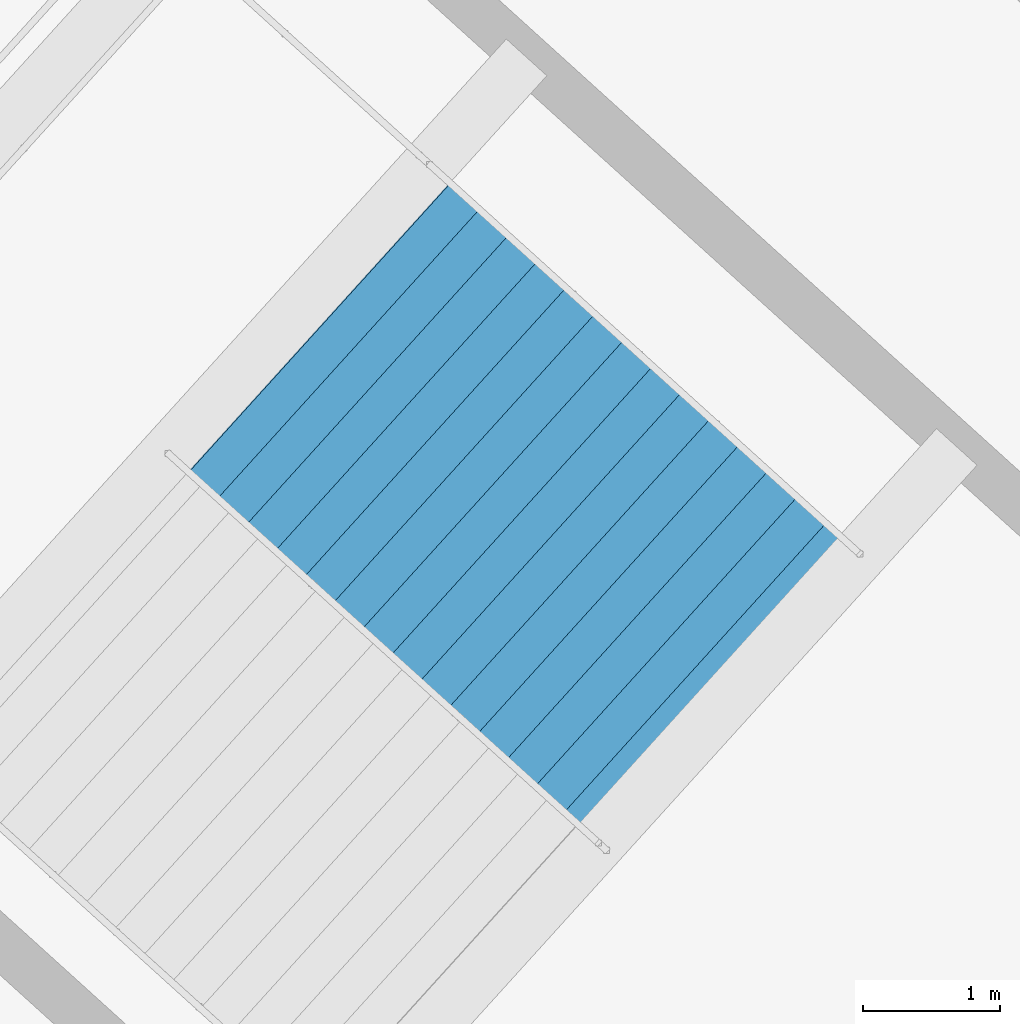
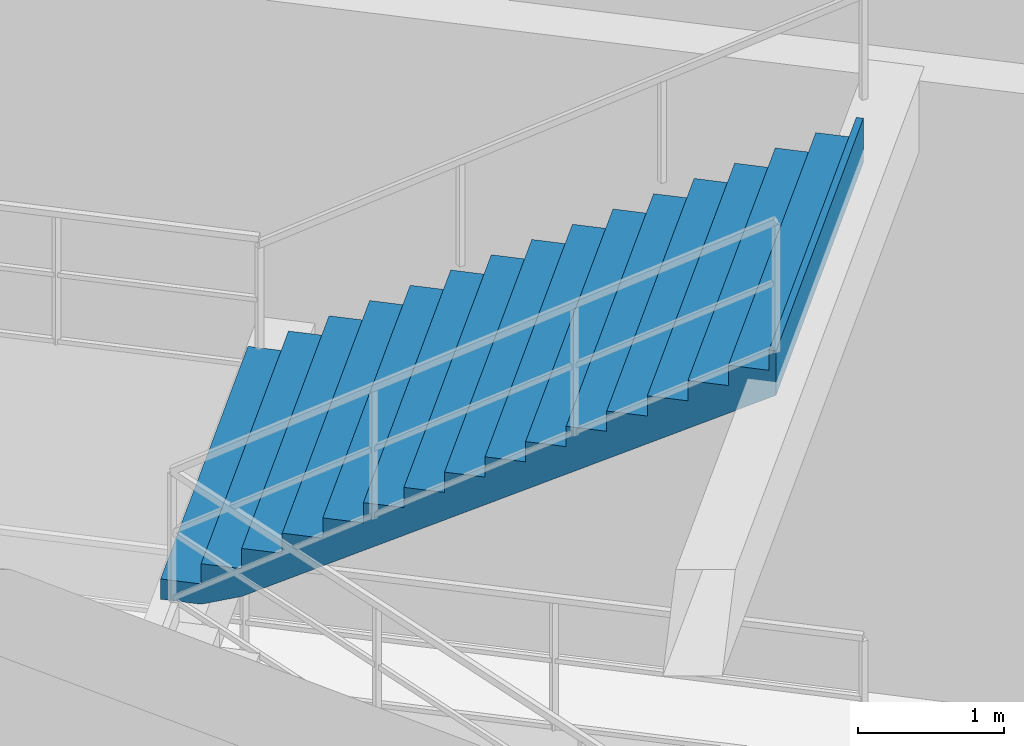
# One storey, part 166 of 186: 1 stair flight, 1 element without a shape of its own.
"""IFC4 building model written with IfcOpenShell, lengths in metres."""

from ifc_helpers import new_model, si_unit, direction, frame, origin, place, context, subcontext, project, spatial, polygons, material, type_object, element, aggregate, save


model = new_model("IFC4")

# Units and contexts
model_context = context("Model", 3, precision=1e-05, world=origin(), true_north=direction((0.0, 1.0)))
body_context = subcontext(model_context, "Body", "Model", "MODEL_VIEW")
ifc_project = project(units=[si_unit("LENGTHUNIT", "METRE"), si_unit("AREAUNIT", "SQUARE_METRE"), si_unit("VOLUMEUNIT", "CUBIC_METRE"), si_unit("PLANEANGLEUNIT", "RADIAN"), si_unit("MASSUNIT", "GRAM", prefix="KILO")], contexts=[model_context])

# Site, building, storey
site_placement = place(None, origin())
site = spatial("IfcSite", under=ifc_project, at=site_placement, CompositionType="ELEMENT")
building_placement = place(site_placement, origin())
building = spatial("IfcBuilding", under=site, at=building_placement, Name="Kazemori Nagisa Stadium", CompositionType="ELEMENT")
storey_placement = place(building_placement, frame((0.0, 0.0, 20.39990234375)))
storey = spatial("IfcBuildingStorey", under=building, at=storey_placement, Name="L04", CompositionType="ELEMENT", Elevation=20.39990234375)

# Stair, stair flight
ifc_material = material(Name="Concrete C36/45 (Fc36)", Category="concrete")
stair_type = type_object("IfcStairType", Name="Stair_CORE_32", PredefinedType="TWO_STRAIGHT_RUN_STAIR", material=ifc_material)
stair_placement = place(storey_placement, origin())
stair = element("IfcStair", 1, at=stair_placement, inside=storey, type_object=stair_type, Name="Exit stair ST01 L04", PredefinedType="TWO_STRAIGHT_RUN_STAIR")
stair_flight_type = type_object("IfcStairFlightType", Name="Flight_CORE_16", PredefinedType="STRAIGHT", material=ifc_material)
stair_flight_placement = place(storey_placement, frame((190.5390625, 161.406005859375, 2.72021484375), z_axis=(0.0, 0.0, 1.0), x_axis=(0.741357156534, -0.671110696127, 0.0)))
stair_flight = element("IfcStairFlight", 2, at=stair_flight_placement, type_object=stair_flight_type, Name="Exit stair ST01 L04 flight 2", NumberOfRisers=16, NumberOfTreads=15, PredefinedType="STRAIGHT", RiserHeight=0.17, TreadLength=0.285, context=body_context, shape_type="Tessellation", body=[
    polygons([(0.0, -1.425048828125, 0.0), (0.0, -1.425048828125, 0.169921875), (0.284912109375, -1.425048828125, 0.169921875), (0.284912109375, -1.425048828125, 0.340087890625), (0.570068359375, -1.425048828125, 0.340087890625), (0.570068359375, -1.425048828125, 0.510009765625), (0.85498046875, -1.425048828125, 0.510009765625), (0.85498046875, -1.425048828125, 0.679931640625), (1.139892578125, -1.425048828125, 0.679931640625), (1.139892578125, -1.425048828125, 0.85009765625), (1.425048828125, -1.425048828125, 0.85009765625), (1.425048828125, -1.425048828125, 1.02001953125), (1.7099609375, -1.425048828125, 1.02001953125), (1.7099609375, -1.425048828125, 1.18994140625), (1.9951171875, -1.425048828125, 1.18994140625), (1.9951171875, -1.425048828125, 1.360107421875), (2.280029296875, -1.425048828125, 1.360107421875), (2.280029296875, -1.425048828125, 1.530029296875), (2.56494140625, -1.425048828125, 1.530029296875), (2.56494140625, -1.425048828125, 1.699951171875), (2.85009765625, -1.425048828125, 1.699951171875), (2.85009765625, -1.425048828125, 1.8701171875), (3.135009765625, -1.425048828125, 1.8701171875), (3.135009765625, -1.425048828125, 2.0400390625), (3.419921875, -1.425048828125, 2.0400390625), (3.419921875, -1.425048828125, 2.2099609375), (3.705078125, -1.425048828125, 2.2099609375), (3.705078125, -1.425048828125, 2.3798828125), (3.989990234375, -1.425048828125, 2.3798828125), (3.989990234375, -1.425048828125, 2.550048828125), (4.27490234375, -1.425048828125, 2.550048828125), (4.27490234375, -1.425048828125, 2.719970703125), (4.324951171875, -1.425048828125, 2.719970703125), (4.324951171875, -1.425048828125, 2.346923828125), (4.27490234375, -1.425048828125, 2.317138671875), (3.989990234375, -1.425048828125, 2.147216796875), (3.705078125, -1.425048828125, 1.977294921875), (3.419921875, -1.425048828125, 1.80712890625), (3.135009765625, -1.425048828125, 1.63720703125), (2.85009765625, -1.425048828125, 1.46728515625), (2.56494140625, -1.425048828125, 1.297119140625), (2.280029296875, -1.425048828125, 1.127197265625), (1.9951171875, -1.425048828125, 0.957275390625), (1.7099609375, -1.425048828125, 0.787109375), (1.425048828125, -1.425048828125, 0.6171875), (1.139892578125, -1.425048828125, 0.447265625), (0.85498046875, -1.425048828125, 0.277099609375), (0.570068359375, -1.425048828125, 0.107177734375), (0.284912109375, -1.425048828125, 0.0), (0.0, -0.08544921875, 0.0), (0.0, -0.08544921875, 0.169921875), (0.284912109375, -0.08544921875, 0.169921875), (0.284912109375, -0.08544921875, 0.340087890625), (0.570068359375, -0.08544921875, 0.340087890625), (0.570068359375, -0.08544921875, 0.510009765625), (0.85498046875, -0.08544921875, 0.510009765625), (0.85498046875, -0.08544921875, 0.679931640625), (1.139892578125, -0.08544921875, 0.679931640625), (1.139892578125, -0.08544921875, 0.85009765625), (1.425048828125, -0.08544921875, 0.85009765625), (1.425048828125, -0.08544921875, 1.02001953125), (1.7099609375, -0.08544921875, 1.02001953125), (1.7099609375, -0.08544921875, 1.18994140625), (1.9951171875, -0.08544921875, 1.18994140625), (1.9951171875, -0.08544921875, 1.360107421875), (2.280029296875, -0.08544921875, 1.360107421875), (2.280029296875, -0.08544921875, 1.530029296875), (2.56494140625, -0.08544921875, 1.530029296875), (2.56494140625, -0.08544921875, 1.699951171875), (2.85009765625, -0.08544921875, 1.699951171875), (2.85009765625, -0.08544921875, 1.8701171875), (3.135009765625, -0.08544921875, 1.8701171875), (3.135009765625, -0.08544921875, 2.0400390625), (3.419921875, -0.08544921875, 2.0400390625), (3.419921875, -0.08544921875, 2.2099609375), (3.705078125, -0.08544921875, 2.2099609375), (3.705078125, -0.08544921875, 2.3798828125), (3.989990234375, -0.08544921875, 2.3798828125), (3.989990234375, -0.08544921875, 2.550048828125), (4.27490234375, -0.08544921875, 2.550048828125), (4.27490234375, -0.08544921875, 2.719970703125), (4.324951171875, -0.08544921875, 2.719970703125), (4.324951171875, -0.08544921875, 2.346923828125), (4.27490234375, -0.08544921875, 2.317138671875), (3.989990234375, -0.08544921875, 2.147216796875), (3.705078125, -0.08544921875, 1.977294921875), (3.419921875, -0.08544921875, 1.80712890625), (3.135009765625, -0.08544921875, 1.63720703125), (2.85009765625, -0.08544921875, 1.46728515625), (2.56494140625, -0.08544921875, 1.297119140625), (2.280029296875, -0.08544921875, 1.127197265625), (1.9951171875, -0.08544921875, 0.957275390625), (1.7099609375, -0.08544921875, 0.787109375), (1.425048828125, -0.08544921875, 0.6171875), (1.139892578125, -0.08544921875, 0.447265625), (0.85498046875, -0.08544921875, 0.277099609375), (0.570068359375, -0.08544921875, 0.107177734375), (0.284912109375, -0.08544921875, 0.0), (0.0, 0.0, 0.0), (0.0, 0.0, 0.169921875), (0.284912109375, 0.0, 0.169921875), (0.284912109375, 0.0, 0.340087890625), (0.570068359375, 0.0, 0.340087890625), (0.570068359375, 0.0, 0.510009765625), (0.85498046875, 0.0, 0.510009765625), (0.85498046875, 0.0, 0.679931640625), (1.139892578125, 0.0, 0.679931640625), (1.139892578125, 0.0, 0.85009765625), (1.425048828125, 0.0, 0.85009765625), (1.425048828125, 0.0, 1.02001953125), (1.7099609375, 0.0, 1.02001953125), (1.7099609375, 0.0, 1.18994140625), (1.9951171875, 0.0, 1.18994140625), (1.9951171875, 0.0, 1.360107421875), (2.280029296875, 0.0, 1.360107421875), (2.280029296875, 0.0, 1.530029296875), (2.56494140625, 0.0, 1.530029296875), (2.56494140625, 0.0, 1.699951171875), (2.85009765625, 0.0, 1.699951171875), (2.85009765625, 0.0, 1.8701171875), (3.135009765625, 0.0, 1.8701171875), (3.135009765625, 0.0, 2.0400390625), (3.419921875, 0.0, 2.0400390625), (3.419921875, 0.0, 2.2099609375), (3.705078125, 0.0, 2.2099609375), (3.705078125, 0.0, 2.3798828125), (3.989990234375, 0.0, 2.3798828125), (3.989990234375, 0.0, 2.550048828125), (4.27490234375, 0.0, 2.550048828125), (4.27490234375, 0.0, 2.719970703125), (4.324951171875, 0.0, 2.719970703125), (4.324951171875, 0.0, 2.346923828125), (4.27490234375, 0.0, 2.317138671875), (3.989990234375, 0.0, 2.147216796875), (3.705078125, 0.0, 1.977294921875), (3.419921875, 0.0, 1.80712890625), (3.135009765625, 0.0, 1.63720703125), (2.85009765625, 0.0, 1.46728515625), (2.56494140625, 0.0, 1.297119140625), (2.280029296875, 0.0, 1.127197265625), (1.9951171875, 0.0, 0.957275390625), (1.7099609375, 0.0, 0.787109375), (1.425048828125, 0.0, 0.6171875), (1.139892578125, 0.0, 0.447265625), (0.85498046875, 0.0, 0.277099609375), (0.570068359375, 0.0, 0.107177734375), (0.284912109375, 0.0, 0.0), (0.0, 0.08544921875, 0.0), (0.0, 0.08544921875, 0.169921875), (0.284912109375, 0.08544921875, 0.169921875), (0.284912109375, 0.08544921875, 0.340087890625), (0.570068359375, 0.08544921875, 0.340087890625), (0.570068359375, 0.08544921875, 0.510009765625), (0.85498046875, 0.08544921875, 0.510009765625), (0.85498046875, 0.08544921875, 0.679931640625), (1.139892578125, 0.08544921875, 0.679931640625), (1.139892578125, 0.08544921875, 0.85009765625), (1.425048828125, 0.08544921875, 0.85009765625), (1.425048828125, 0.08544921875, 1.02001953125), (1.7099609375, 0.08544921875, 1.02001953125), (1.7099609375, 0.08544921875, 1.18994140625), (1.9951171875, 0.08544921875, 1.18994140625), (1.9951171875, 0.08544921875, 1.360107421875), (2.280029296875, 0.08544921875, 1.360107421875), (2.280029296875, 0.08544921875, 1.530029296875), (2.56494140625, 0.08544921875, 1.530029296875), (2.56494140625, 0.08544921875, 1.699951171875), (2.85009765625, 0.08544921875, 1.699951171875), (2.85009765625, 0.08544921875, 1.8701171875), (3.135009765625, 0.08544921875, 1.8701171875), (3.135009765625, 0.08544921875, 2.0400390625), (3.419921875, 0.08544921875, 2.0400390625), (3.419921875, 0.08544921875, 2.2099609375), (3.705078125, 0.08544921875, 2.2099609375), (3.705078125, 0.08544921875, 2.3798828125), (3.989990234375, 0.08544921875, 2.3798828125), (3.989990234375, 0.08544921875, 2.550048828125), (4.27490234375, 0.08544921875, 2.550048828125), (4.27490234375, 0.08544921875, 2.719970703125), (4.324951171875, 0.08544921875, 2.719970703125), (4.324951171875, 0.08544921875, 2.346923828125), (4.27490234375, 0.08544921875, 2.317138671875), (3.989990234375, 0.08544921875, 2.147216796875), (3.705078125, 0.08544921875, 1.977294921875), (3.419921875, 0.08544921875, 1.80712890625), (3.135009765625, 0.08544921875, 1.63720703125), (2.85009765625, 0.08544921875, 1.46728515625), (2.56494140625, 0.08544921875, 1.297119140625), (2.280029296875, 0.08544921875, 1.127197265625), (1.9951171875, 0.08544921875, 0.957275390625), (1.7099609375, 0.08544921875, 0.787109375), (1.425048828125, 0.08544921875, 0.6171875), (1.139892578125, 0.08544921875, 0.447265625), (0.85498046875, 0.08544921875, 0.277099609375), (0.570068359375, 0.08544921875, 0.107177734375), (0.284912109375, 0.08544921875, 0.0), (0.0, 1.425048828125, 0.0), (0.0, 1.425048828125, 0.169921875), (0.284912109375, 1.425048828125, 0.169921875), (0.284912109375, 1.425048828125, 0.340087890625), (0.570068359375, 1.425048828125, 0.340087890625), (0.570068359375, 1.425048828125, 0.510009765625), (0.85498046875, 1.425048828125, 0.510009765625), (0.85498046875, 1.425048828125, 0.679931640625), (1.139892578125, 1.425048828125, 0.679931640625), (1.139892578125, 1.425048828125, 0.85009765625), (1.425048828125, 1.425048828125, 0.85009765625), (1.425048828125, 1.425048828125, 1.02001953125), (1.7099609375, 1.425048828125, 1.02001953125), (1.7099609375, 1.425048828125, 1.18994140625), (1.9951171875, 1.425048828125, 1.18994140625), (1.9951171875, 1.425048828125, 1.360107421875), (2.280029296875, 1.425048828125, 1.360107421875), (2.280029296875, 1.425048828125, 1.530029296875), (2.56494140625, 1.425048828125, 1.530029296875), (2.56494140625, 1.425048828125, 1.699951171875), (2.85009765625, 1.425048828125, 1.699951171875), (2.85009765625, 1.425048828125, 1.8701171875), (3.135009765625, 1.425048828125, 1.8701171875), (3.135009765625, 1.425048828125, 2.0400390625), (3.419921875, 1.425048828125, 2.0400390625), (3.419921875, 1.425048828125, 2.2099609375), (3.705078125, 1.425048828125, 2.2099609375), (3.705078125, 1.425048828125, 2.3798828125), (3.989990234375, 1.425048828125, 2.3798828125), (3.989990234375, 1.425048828125, 2.550048828125), (4.27490234375, 1.425048828125, 2.550048828125), (4.27490234375, 1.425048828125, 2.719970703125), (4.324951171875, 1.425048828125, 2.719970703125), (4.324951171875, 1.425048828125, 2.346923828125), (4.27490234375, 1.425048828125, 2.317138671875), (3.989990234375, 1.425048828125, 2.147216796875), (3.705078125, 1.425048828125, 1.977294921875), (3.419921875, 1.425048828125, 1.80712890625), (3.135009765625, 1.425048828125, 1.63720703125), (2.85009765625, 1.425048828125, 1.46728515625), (2.56494140625, 1.425048828125, 1.297119140625), (2.280029296875, 1.425048828125, 1.127197265625), (1.9951171875, 1.425048828125, 0.957275390625), (1.7099609375, 1.425048828125, 0.787109375), (1.425048828125, 1.425048828125, 0.6171875), (1.139892578125, 1.425048828125, 0.447265625), (0.85498046875, 1.425048828125, 0.277099609375), (0.570068359375, 1.425048828125, 0.107177734375), (0.284912109375, 1.425048828125, 0.0)], [[[1, 2, 51]], [[1, 51, 50]], [[2, 3, 52]], [[2, 52, 51]], [[3, 4, 53]], [[3, 53, 52]], [[4, 5, 54]], [[4, 54, 53]], [[5, 6, 55]], [[5, 55, 54]], [[6, 7, 56]], [[6, 56, 55]], [[7, 8, 57]], [[7, 57, 56]], [[8, 9, 58]], [[8, 58, 57]], [[9, 10, 59]], [[9, 59, 58]], [[10, 11, 60]], [[10, 60, 59]], [[11, 12, 61]], [[11, 61, 60]], [[12, 13, 62]], [[12, 62, 61]], [[13, 14, 63]], [[13, 63, 62]], [[14, 15, 64]], [[14, 64, 63]], [[15, 16, 65]], [[15, 65, 64]], [[16, 17, 66]], [[16, 66, 65]], [[17, 18, 67]], [[17, 67, 66]], [[18, 19, 68]], [[18, 68, 67]], [[19, 20, 69]], [[19, 69, 68]], [[20, 21, 70]], [[20, 70, 69]], [[21, 22, 71]], [[21, 71, 70]], [[22, 23, 72]], [[22, 72, 71]], [[23, 24, 73]], [[23, 73, 72]], [[24, 25, 74]], [[24, 74, 73]], [[25, 26, 75]], [[25, 75, 74]], [[26, 27, 76]], [[26, 76, 75]], [[27, 28, 77]], [[27, 77, 76]], [[28, 29, 78]], [[28, 78, 77]], [[29, 30, 79]], [[29, 79, 78]], [[30, 31, 80]], [[30, 80, 79]], [[31, 32, 81]], [[31, 81, 80]], [[32, 33, 82]], [[32, 82, 81]], [[33, 34, 83]], [[33, 83, 82]], [[34, 35, 84]], [[34, 84, 83]], [[35, 36, 85]], [[35, 85, 84]], [[36, 37, 86]], [[36, 86, 85]], [[37, 38, 87]], [[37, 87, 86]], [[38, 39, 88]], [[38, 88, 87]], [[39, 40, 89]], [[39, 89, 88]], [[40, 41, 90]], [[40, 90, 89]], [[41, 42, 91]], [[41, 91, 90]], [[42, 43, 92]], [[42, 92, 91]], [[43, 44, 93]], [[43, 93, 92]], [[44, 45, 94]], [[44, 94, 93]], [[45, 46, 95]], [[45, 95, 94]], [[46, 47, 96]], [[46, 96, 95]], [[47, 48, 97]], [[47, 97, 96]], [[48, 49, 98]], [[48, 98, 97]], [[49, 1, 50]], [[49, 50, 98]], [[50, 51, 100]], [[50, 100, 99]], [[51, 52, 101]], [[51, 101, 100]], [[52, 53, 102]], [[52, 102, 101]], [[53, 54, 103]], [[53, 103, 102]], [[54, 55, 104]], [[54, 104, 103]], [[55, 56, 105]], [[55, 105, 104]], [[56, 57, 106]], [[56, 106, 105]], [[57, 58, 107]], [[57, 107, 106]], [[58, 59, 108]], [[58, 108, 107]], [[59, 60, 109]], [[59, 109, 108]], [[60, 61, 110]], [[60, 110, 109]], [[61, 62, 111]], [[61, 111, 110]], [[62, 63, 112]], [[62, 112, 111]], [[63, 64, 113]], [[63, 113, 112]], [[64, 65, 114]], [[64, 114, 113]], [[65, 66, 115]], [[65, 115, 114]], [[66, 67, 116]], [[66, 116, 115]], [[67, 68, 117]], [[67, 117, 116]], [[68, 69, 118]], [[68, 118, 117]], [[69, 70, 119]], [[69, 119, 118]], [[70, 71, 120]], [[70, 120, 119]], [[71, 72, 121]], [[71, 121, 120]], [[72, 73, 122]], [[72, 122, 121]], [[73, 74, 123]], [[73, 123, 122]], [[74, 75, 124]], [[74, 124, 123]], [[75, 76, 125]], [[75, 125, 124]], [[76, 77, 126]], [[76, 126, 125]], [[77, 78, 127]], [[77, 127, 126]], [[78, 79, 128]], [[78, 128, 127]], [[79, 80, 129]], [[79, 129, 128]], [[80, 81, 130]], [[80, 130, 129]], [[81, 82, 131]], [[81, 131, 130]], [[82, 83, 132]], [[82, 132, 131]], [[83, 84, 133]], [[83, 133, 132]], [[84, 85, 134]], [[84, 134, 133]], [[85, 86, 135]], [[85, 135, 134]], [[86, 87, 136]], [[86, 136, 135]], [[87, 88, 137]], [[87, 137, 136]], [[88, 89, 138]], [[88, 138, 137]], [[89, 90, 139]], [[89, 139, 138]], [[90, 91, 140]], [[90, 140, 139]], [[91, 92, 141]], [[91, 141, 140]], [[92, 93, 142]], [[92, 142, 141]], [[93, 94, 143]], [[93, 143, 142]], [[94, 95, 144]], [[94, 144, 143]], [[95, 96, 145]], [[95, 145, 144]], [[96, 97, 146]], [[96, 146, 145]], [[97, 98, 147]], [[97, 147, 146]], [[98, 50, 99]], [[98, 99, 147]], [[99, 100, 149]], [[99, 149, 148]], [[100, 101, 150]], [[100, 150, 149]], [[101, 102, 151]], [[101, 151, 150]], [[102, 103, 152]], [[102, 152, 151]], [[103, 104, 153]], [[103, 153, 152]], [[104, 105, 154]], [[104, 154, 153]], [[105, 106, 155]], [[105, 155, 154]], [[106, 107, 156]], [[106, 156, 155]], [[107, 108, 157]], [[107, 157, 156]], [[108, 109, 158]], [[108, 158, 157]], [[109, 110, 159]], [[109, 159, 158]], [[110, 111, 160]], [[110, 160, 159]], [[111, 112, 161]], [[111, 161, 160]], [[112, 113, 162]], [[112, 162, 161]], [[113, 114, 163]], [[113, 163, 162]], [[114, 115, 164]], [[114, 164, 163]], [[115, 116, 165]], [[115, 165, 164]], [[116, 117, 166]], [[116, 166, 165]], [[117, 118, 167]], [[117, 167, 166]], [[118, 119, 168]], [[118, 168, 167]], [[119, 120, 169]], [[119, 169, 168]], [[120, 121, 170]], [[120, 170, 169]], [[121, 122, 171]], [[121, 171, 170]], [[122, 123, 172]], [[122, 172, 171]], [[123, 124, 173]], [[123, 173, 172]], [[124, 125, 174]], [[124, 174, 173]], [[125, 126, 175]], [[125, 175, 174]], [[126, 127, 176]], [[126, 176, 175]], [[127, 128, 177]], [[127, 177, 176]], [[128, 129, 178]], [[128, 178, 177]], [[129, 130, 179]], [[129, 179, 178]], [[130, 131, 180]], [[130, 180, 179]], [[131, 132, 181]], [[131, 181, 180]], [[132, 133, 182]], [[132, 182, 181]], [[133, 134, 183]], [[133, 183, 182]], [[134, 135, 184]], [[134, 184, 183]], [[135, 136, 185]], [[135, 185, 184]], [[136, 137, 186]], [[136, 186, 185]], [[137, 138, 187]], [[137, 187, 186]], [[138, 139, 188]], [[138, 188, 187]], [[139, 140, 189]], [[139, 189, 188]], [[140, 141, 190]], [[140, 190, 189]], [[141, 142, 191]], [[141, 191, 190]], [[142, 143, 192]], [[142, 192, 191]], [[143, 144, 193]], [[143, 193, 192]], [[144, 145, 194]], [[144, 194, 193]], [[145, 146, 195]], [[145, 195, 194]], [[146, 147, 196]], [[146, 196, 195]], [[147, 99, 148]], [[147, 148, 196]], [[148, 149, 198]], [[148, 198, 197]], [[149, 150, 199]], [[149, 199, 198]], [[150, 151, 200]], [[150, 200, 199]], [[151, 152, 201]], [[151, 201, 200]], [[152, 153, 202]], [[152, 202, 201]], [[153, 154, 203]], [[153, 203, 202]], [[154, 155, 204]], [[154, 204, 203]], [[155, 156, 205]], [[155, 205, 204]], [[156, 157, 206]], [[156, 206, 205]], [[157, 158, 207]], [[157, 207, 206]], [[158, 159, 208]], [[158, 208, 207]], [[159, 160, 209]], [[159, 209, 208]], [[160, 161, 210]], [[160, 210, 209]], [[161, 162, 211]], [[161, 211, 210]], [[162, 163, 212]], [[162, 212, 211]], [[163, 164, 213]], [[163, 213, 212]], [[164, 165, 214]], [[164, 214, 213]], [[165, 166, 215]], [[165, 215, 214]], [[166, 167, 216]], [[166, 216, 215]], [[167, 168, 217]], [[167, 217, 216]], [[168, 169, 218]], [[168, 218, 217]], [[169, 170, 219]], [[169, 219, 218]], [[170, 171, 220]], [[170, 220, 219]], [[171, 172, 221]], [[171, 221, 220]], [[172, 173, 222]], [[172, 222, 221]], [[173, 174, 223]], [[173, 223, 222]], [[174, 175, 224]], [[174, 224, 223]], [[175, 176, 225]], [[175, 225, 224]], [[176, 177, 226]], [[176, 226, 225]], [[177, 178, 227]], [[177, 227, 226]], [[178, 179, 228]], [[178, 228, 227]], [[179, 180, 229]], [[179, 229, 228]], [[180, 181, 230]], [[180, 230, 229]], [[181, 182, 231]], [[181, 231, 230]], [[182, 183, 232]], [[182, 232, 231]], [[183, 184, 233]], [[183, 233, 232]], [[184, 185, 234]], [[184, 234, 233]], [[185, 186, 235]], [[185, 235, 234]], [[186, 187, 236]], [[186, 236, 235]], [[187, 188, 237]], [[187, 237, 236]], [[188, 189, 238]], [[188, 238, 237]], [[189, 190, 239]], [[189, 239, 238]], [[190, 191, 240]], [[190, 240, 239]], [[191, 192, 241]], [[191, 241, 240]], [[192, 193, 242]], [[192, 242, 241]], [[193, 194, 243]], [[193, 243, 242]], [[194, 195, 244]], [[194, 244, 243]], [[195, 196, 245]], [[195, 245, 244]], [[196, 148, 197]], [[196, 197, 245]], [[3, 2, 1]], [[197, 198, 199]], [[49, 3, 1]], [[197, 199, 245]], [[48, 3, 49]], [[245, 199, 244]], [[5, 3, 48]], [[244, 199, 201]], [[5, 4, 3]], [[199, 200, 201]], [[47, 5, 48]], [[244, 201, 243]], [[7, 5, 47]], [[243, 201, 203]], [[7, 6, 5]], [[201, 202, 203]], [[46, 7, 47]], [[243, 203, 242]], [[9, 7, 46]], [[242, 203, 205]], [[9, 8, 7]], [[203, 204, 205]], [[45, 9, 46]], [[242, 205, 241]], [[11, 9, 45]], [[241, 205, 207]], [[11, 10, 9]], [[205, 206, 207]], [[44, 11, 45]], [[241, 207, 240]], [[13, 11, 44]], [[240, 207, 209]], [[13, 12, 11]], [[207, 208, 209]], [[43, 13, 44]], [[240, 209, 239]], [[15, 13, 43]], [[239, 209, 211]], [[15, 14, 13]], [[209, 210, 211]], [[42, 15, 43]], [[239, 211, 238]], [[17, 15, 42]], [[238, 211, 213]], [[17, 16, 15]], [[211, 212, 213]], [[41, 17, 42]], [[238, 213, 237]], [[19, 17, 41]], [[237, 213, 215]], [[19, 18, 17]], [[213, 214, 215]], [[40, 19, 41]], [[237, 215, 236]], [[21, 19, 40]], [[236, 215, 217]], [[21, 20, 19]], [[215, 216, 217]], [[39, 21, 40]], [[236, 217, 235]], [[23, 21, 39]], [[235, 217, 219]], [[23, 22, 21]], [[217, 218, 219]], [[38, 23, 39]], [[235, 219, 234]], [[25, 23, 38]], [[234, 219, 221]], [[25, 24, 23]], [[219, 220, 221]], [[37, 25, 38]], [[234, 221, 233]], [[27, 25, 37]], [[233, 221, 223]], [[27, 26, 25]], [[221, 222, 223]], [[36, 27, 37]], [[233, 223, 232]], [[29, 27, 36]], [[232, 223, 225]], [[29, 28, 27]], [[223, 224, 225]], [[35, 29, 36]], [[232, 225, 231]], [[31, 29, 35]], [[231, 225, 227]], [[31, 30, 29]], [[225, 226, 227]], [[34, 31, 35]], [[231, 227, 230]], [[33, 31, 34]], [[230, 227, 229]], [[33, 32, 31]], [[227, 228, 229]]], closed=True),
])
aggregate(stair, [stair_flight])

save(model, "model.ifc")
